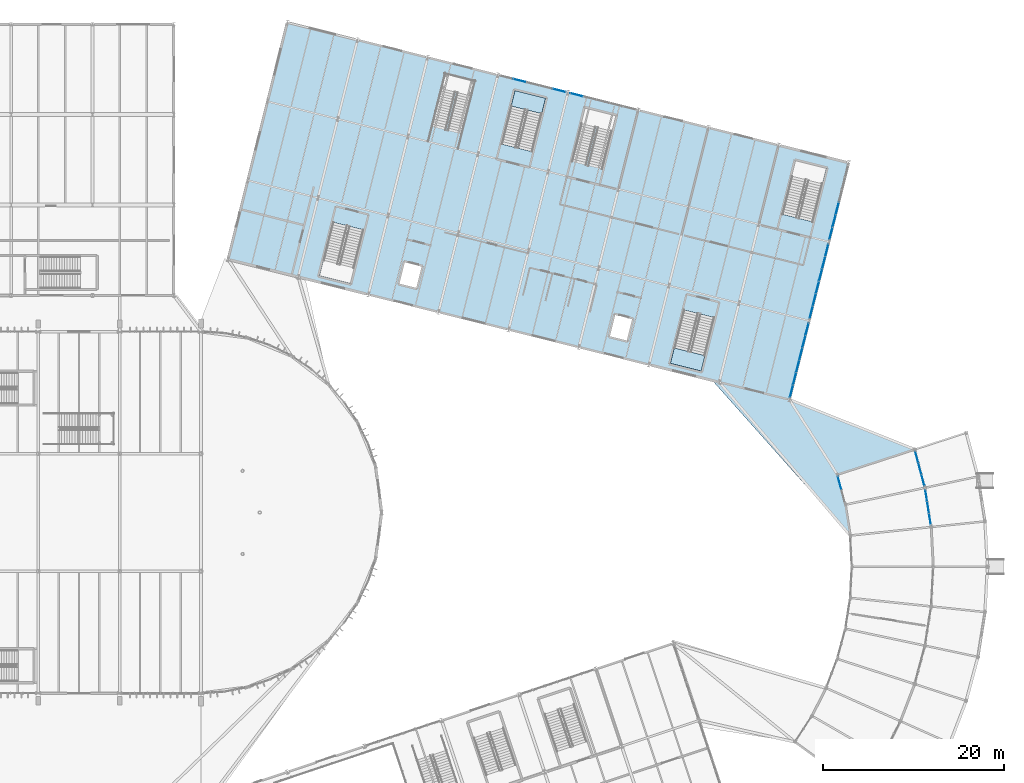
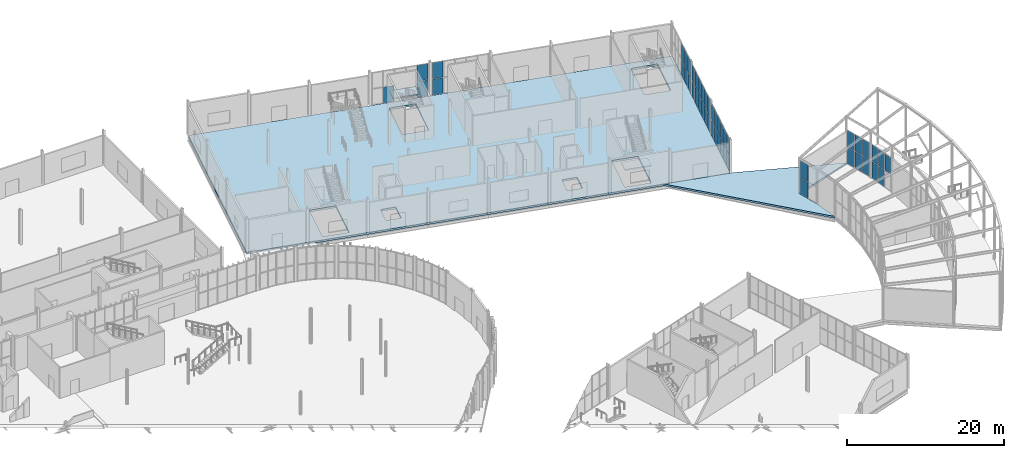
# One storey, part 115 of 158: 48 plates, 4 slabs, 10 elements without a shape of their own.
"""IFC4 building model written with IfcOpenShell, lengths in metres."""

from ifc_helpers import new_model, si_unit, derived_unit, direction, frame, origin, origin_2d, place, context, subcontext, project, spatial, polyline, rectangle, outline, extrude, material, layer, layer_set, type_object, element, aggregate, save


model = new_model("IFC4")

# Units and contexts
model_context = context("Model", 3, precision=1e-05, world=origin(), true_north=direction((0.0, 1.0)))
body_context = subcontext(model_context, "Body", "Model", "MODEL_VIEW")
ifc_project = project(units=[si_unit("LENGTHUNIT", "METRE"), si_unit("AREAUNIT", "SQUARE_METRE"), si_unit("VOLUMEUNIT", "CUBIC_METRE"), si_unit("PLANEANGLEUNIT", "RADIAN"), si_unit("MASSUNIT", "GRAM", prefix="KILO"), si_unit("THERMODYNAMICTEMPERATUREUNIT", "KELVIN"), si_unit("TIMEUNIT", "SECOND"), derived_unit("THERMALTRANSMITTANCEUNIT", [(si_unit("MASSUNIT", "GRAM", prefix="KILO"), 1), (si_unit("THERMODYNAMICTEMPERATUREUNIT", "KELVIN"), -1), (si_unit("TIMEUNIT", "SECOND"), -3)])], contexts=[model_context])

# Site, building, storey
site_placement = place(None, origin())
site = spatial("IfcSite", under=ifc_project, at=site_placement, CompositionType="ELEMENT")
building_placement = place(site_placement, origin())
building = spatial("IfcBuilding", under=site, at=building_placement, Name="Cambertide Market Hall", CompositionType="ELEMENT")
storey_placement = place(building_placement, origin())
storey = spatial("IfcBuildingStorey", under=building, at=storey_placement, Name="L01", CompositionType="ELEMENT", Elevation=0.0)

# Stair, slab
ifc_material_1 = material(Name="Concrete B35", Category="concrete")
stair_type_1 = type_object("IfcStairType", Name="Concrete Dogleg Stair ST-07B", PredefinedType="HALF_TURN_STAIR", material=ifc_material_1)
stair_1_placement = place(storey_placement, origin())
stair_1 = element("IfcStair", 1, at=stair_1_placement, inside=storey, type_object=stair_type_1, Name="Level 1 Exit Stair Core 07B", PredefinedType="HALF_TURN_STAIR")
ifc_material_2 = material(Name="Concrete B35", Category="concrete")
ifc_layer_1 = layer(ifc_material_2, 0.199951171875, Name="Concrete Stair Half-Landing 200")
ifc_layer_set_1 = layer_set([ifc_layer_1], Name="Concrete B35")
slab_type_1 = type_object("IfcSlabType", Name="Concrete Stair Half-Landing 200", PredefinedType="LANDING", material=ifc_layer_set_1)
slab_1_placement = place(storey_placement, frame((0.0, 0.0, 2.5)))
slab_1 = element("IfcSlab", 2, at=slab_1_placement, type_object=slab_type_1, Name="ST-07B landing 1", PredefinedType="LANDING", context=body_context, shape_type="SweptSolid", body=[
    extrude(outline(polyline([(142.69384765625, 116.112548828125), (143.119140625, 117.814208984375), (139.7236328125, 118.6630859375), (139.29833984375, 116.96142578125), (142.69384765625, 116.112548828125)])), origin(), (0.0, 0.0, 1.0), 0.199951171875),
])
aggregate(stair_1, [slab_1])

ifc_material_3 = material(Name="Concrete B35", Category="concrete")
stair_type_2 = type_object("IfcStairType", Name="Concrete Dogleg Stair ST-08A", PredefinedType="HALF_TURN_STAIR", material=ifc_material_3)
stair_2_placement = place(storey_placement, origin())
stair_2 = element("IfcStair", 3, at=stair_2_placement, inside=storey, type_object=stair_type_2, Name="Level 1 Exit Stair Core 08A", PredefinedType="HALF_TURN_STAIR")
slab_2_placement = place(storey_placement, frame((0.0, 0.0, 2.5)))
slab_2 = element("IfcSlab", 4, at=slab_2_placement, type_object=slab_type_1, Name="ST-08A landing 1", PredefinedType="LANDING", context=body_context, shape_type="SweptSolid", body=[
    extrude(outline(polyline([(157.3447265625, 90.193359375), (156.91943359375, 88.49169921875), (160.31494140625, 87.642822265625), (160.740234375, 89.344482421875), (157.3447265625, 90.193359375)])), origin(), (0.0, 0.0, 1.0), 0.199951171875),
])
aggregate(stair_2, [slab_2])

# Slabs
ifc_material_4 = material(Name="Concrete B35", Category="concrete")
ifc_layer_2 = layer(ifc_material_4, 0.280029296875, Name="Exterior Entry Apron & Colonnade Slab 280")
ifc_layer_set_2 = layer_set([ifc_layer_2], Name="Concrete B35")
slab_type_2 = type_object("IfcSlabType", Name="Exterior Entry Apron & Colonnade Slab 280", PredefinedType="FLOOR", material=ifc_layer_set_2)
slab_3_placement = place(storey_placement, frame((0.0, 0.0, -0.280029296875)))
element("IfcSlab", 5, at=slab_3_placement, inside=storey, type_object=slab_type_2, Name="Level 1 Slab SLB-L01-LNK-V4V5", PredefinedType="FLOOR", context=body_context, shape_type="SweptSolid", body=[
    extrude(outline(polyline([(170.47607421875, 84.3759765625), (170.09765625, 84.470458984375), (170.096435546875, 84.465576171875), (161.556396484375, 86.6005859375), (176.814208984375, 69.448974609375), (176.814208984375, 69.448974609375), (176.27392578125, 72.860107421875), (176.27392578125, 72.860107421875), (176.27392578125, 72.860107421875), (175.380126953125, 76.19580078125), (175.378662109375, 76.20068359375), (183.94287109375, 78.9833984375), (184.127197265625, 79.04345703125), (170.47607421875, 84.3759765625)])), origin(), (0.0, 0.0, 1.0), 0.280029296875),
])
ifc_material_5 = material(Name="Concrete B35", Category="concrete")
ifc_layer_3 = layer(ifc_material_5, 0.300048828125, Name="Ground Plinth Structural Slab 300")
ifc_layer_set_3 = layer_set([ifc_layer_3], Name="Concrete B35")
slab_type_3 = type_object("IfcSlabType", Name="Ground Plinth Structural Slab 300", PredefinedType="FLOOR", material=ifc_layer_set_3)
slab_4_placement = place(storey_placement, frame((0.0, 0.0, -0.300048828125)))
element("IfcSlab", 6, at=slab_4_placement, inside=storey, type_object=slab_type_3, Name="Level 1 Slab SLB-L01-V4", PredefinedType="FLOOR", context=body_context, shape_type="SweptSolid", body=[
    extrude(outline(polyline([(108.0, 100.0), (170.089111328125, 84.477783203125), (176.6376953125, 110.671630859375), (114.548583984375, 126.19384765625), (108.0, 100.0)]), holes=[polyline([(122.98779296875, 103.25830078125), (121.50927734375, 97.34423828125), (118.11376953125, 98.193115234375), (119.59228515625, 104.107177734375), (122.98779296875, 103.25830078125)]), polyline([(138.2451171875, 112.7490234375), (139.7236328125, 118.6630859375), (143.119140625, 117.814208984375), (141.640625, 111.900146484375), (138.2451171875, 112.7490234375)]), polyline([(161.79345703125, 93.556884765625), (160.31494140625, 87.642822265625), (156.91943359375, 88.49169921875), (158.39794921875, 94.40576171875), (161.79345703125, 93.556884765625)]), polyline([(169.289794921875, 104.988037109375), (170.768310546875, 110.90185546875), (174.163818359375, 110.05322265625), (172.685302734375, 104.13916015625), (169.289794921875, 104.988037109375)]), polyline([(127.511962890625, 99.708984375), (129.452392578125, 99.223876953125), (128.845947265625, 96.798583984375), (126.90576171875, 97.28369140625), (127.511962890625, 99.708984375)]), polyline([(150.79541015625, 93.88818359375), (152.735595703125, 93.403076171875), (152.12939453125, 90.977783203125), (150.18896484375, 91.462646484375), (150.79541015625, 93.88818359375)])]), origin(), (0.0, 0.0, 1.0), 0.300048828125),
])

# Curtain wall, plate
ifc_material_6 = material(Name="Marine Anodized Aluminium 6063-T6 AA25", Category="aluminium")
curtain_wall_type_1 = type_object("IfcCurtainWallType", Name="Cooking School Ground Showcase Wall", PredefinedType="USERDEFINED", material=ifc_material_6)
curtain_wall_1_placement = place(storey_placement, origin())
curtain_wall_1 = element("IfcCurtainWall", 7, at=curtain_wall_1_placement, inside=storey, type_object=curtain_wall_type_1, Name="Level 1 Curtain Wall CW-V4N-L01-4", ObjectType="UNITIZED CURTAIN WALL", PredefinedType="USERDEFINED")
ifc_material_7 = material(Name="Champagne Marine Anodized Aluminium 6063-T6 AA25", Category="aluminium")
ifc_layer_4 = layer(ifc_material_7, 0.0419921875, Name="Insulated Aluminium Spandrel Panel 42")
ifc_layer_set_4 = layer_set([ifc_layer_4], Name="Champagne Marine Anodized Aluminium 6063-T6 AA25")
plate_type_1 = type_object("IfcPlateType", Name="Insulated Aluminium Spandrel Panel 42", PredefinedType="CURTAIN_PANEL", material=ifc_layer_set_4)
plate_1_placement = place(storey_placement, frame((144.630615234375, 118.67333984375, 2.58984375), z_axis=(0.0, 0.0, 1.0), x_axis=(0.970142500145, -0.242535625038, 0.0)))
plate_1 = element("IfcPlate", 8, at=plate_1_placement, type_object=plate_type_1, Name="CW-V4N-L01-4 Glazing Panel 2-5", PredefinedType="CURTAIN_PANEL", context=body_context, shape_type="SweptSolid", body=[
    extrude(rectangle(XDim=1.424072265625, YDim=0.0419921875, at=origin_2d()), origin(), (0.0, 0.0, 1.0), 2.469970703125),
])

curtain_wall_2_placement = place(storey_placement, origin())
curtain_wall_2 = element("IfcCurtainWall", 9, at=curtain_wall_2_placement, inside=storey, type_object=curtain_wall_type_1, Name="Level 1 Curtain Wall CW-V4N-L01-5", ObjectType="UNITIZED CURTAIN WALL", PredefinedType="USERDEFINED")
plate_2_placement = place(storey_placement, frame((146.555419921875, 118.192138671875, 2.58984375), z_axis=(0.0, 0.0, 1.0), x_axis=(0.970142500145, -0.242535625038, 0.0)))
plate_2 = element("IfcPlate", 10, at=plate_2_placement, type_object=plate_type_1, Name="CW-V4N-L01-5 Glazing Panel 2-1", PredefinedType="CURTAIN_PANEL", context=body_context, shape_type="SweptSolid", body=[
    extrude(rectangle(XDim=1.424072265625, YDim=0.0419921875, at=origin_2d()), origin(), (0.0, 0.0, 1.0), 2.469970703125),
])

# Curtain wall, plates
curtain_wall_3_placement = place(storey_placement, origin())
curtain_wall_3 = element("IfcCurtainWall", 11, at=curtain_wall_3_placement, inside=storey, type_object=curtain_wall_type_1, Name="Level 1 Curtain Wall CW-V4E-L01-1", ObjectType="UNITIZED CURTAIN WALL", PredefinedType="USERDEFINED")
plate_3_placement = place(storey_placement, frame((172.04150390625, 92.287353515625, 2.58984375), z_axis=(0.0, 0.0, 1.0), x_axis=(-0.242535569805, -0.970142513953, 0.0)))
plate_3 = element("IfcPlate", 12, at=plate_3_placement, type_object=plate_type_1, Name="CW-V4E-L01-1 Glazing Panel 2-1", PredefinedType="CURTAIN_PANEL", context=body_context, shape_type="SweptSolid", body=[
    extrude(rectangle(XDim=1.340087890625, YDim=0.0419921875, at=origin_2d()), origin(), (0.0, 0.0, 1.0), 2.469970703125),
])
plate_4_placement = place(storey_placement, frame((171.697021484375, 90.90966796875, 2.58984375), z_axis=(0.0, 0.0, 1.0), x_axis=(-0.242535569805, -0.970142513953, 0.0)))
plate_4 = element("IfcPlate", 13, at=plate_4_placement, type_object=plate_type_1, Name="CW-V4E-L01-1 Glazing Panel 2-2", PredefinedType="CURTAIN_PANEL", context=body_context, shape_type="SweptSolid", body=[
    extrude(rectangle(XDim=1.340087890625, YDim=0.0419921875, at=origin_2d()), origin(), (0.0, 0.0, 1.0), 2.469970703125),
])
plate_5_placement = place(storey_placement, frame((171.352783203125, 89.5322265625, 2.58984375), z_axis=(0.0, 0.0, 1.0), x_axis=(-0.242535569805, -0.970142513953, 0.0)))
plate_5 = element("IfcPlate", 14, at=plate_5_placement, type_object=plate_type_1, Name="CW-V4E-L01-1 Glazing Panel 2-3", PredefinedType="CURTAIN_PANEL", context=body_context, shape_type="SweptSolid", body=[
    extrude(rectangle(XDim=1.340087890625, YDim=0.0419921875, at=origin_2d()), origin(), (0.0, 0.0, 1.0), 2.469970703125),
])
plate_6_placement = place(storey_placement, frame((171.00830078125, 88.154541015625, 2.58984375), z_axis=(0.0, 0.0, 1.0), x_axis=(-0.242535569805, -0.970142513953, 0.0)))
plate_6 = element("IfcPlate", 15, at=plate_6_placement, type_object=plate_type_1, Name="CW-V4E-L01-1 Glazing Panel 2-4", PredefinedType="CURTAIN_PANEL", context=body_context, shape_type="SweptSolid", body=[
    extrude(rectangle(XDim=1.340087890625, YDim=0.0419921875, at=origin_2d()), origin(), (0.0, 0.0, 1.0), 2.469970703125),
])
plate_7_placement = place(storey_placement, frame((170.663818359375, 86.77685546875, 2.58984375), z_axis=(0.0, 0.0, 1.0), x_axis=(-0.242535569805, -0.970142513953, 0.0)))
plate_7 = element("IfcPlate", 16, at=plate_7_placement, type_object=plate_type_1, Name="CW-V4E-L01-1 Glazing Panel 2-5", PredefinedType="CURTAIN_PANEL", context=body_context, shape_type="SweptSolid", body=[
    extrude(rectangle(XDim=1.340087890625, YDim=0.0419921875, at=origin_2d()), origin(), (0.0, 0.0, 1.0), 2.469970703125),
])
plate_8_placement = place(storey_placement, frame((170.319580078125, 85.3994140625, 2.58984375), z_axis=(0.0, 0.0, 1.0), x_axis=(-0.242535569805, -0.970142513953, 0.0)))
plate_8 = element("IfcPlate", 17, at=plate_8_placement, type_object=plate_type_1, Name="CW-V4E-L01-1 Glazing Panel 2-6", PredefinedType="CURTAIN_PANEL", context=body_context, shape_type="SweptSolid", body=[
    extrude(rectangle(XDim=1.340087890625, YDim=0.0419921875, at=origin_2d()), origin(), (0.0, 0.0, 1.0), 2.469970703125),
])

curtain_wall_4_placement = place(storey_placement, origin())
curtain_wall_4 = element("IfcCurtainWall", 18, at=curtain_wall_4_placement, inside=storey, type_object=curtain_wall_type_1, Name="Level 1 Curtain Wall CW-V4E-L01-2", ObjectType="UNITIZED CURTAIN WALL", PredefinedType="USERDEFINED")
plate_9_placement = place(storey_placement, frame((174.224365234375, 101.0185546875, 2.58984375), z_axis=(0.0, 0.0, 1.0), x_axis=(-0.24253568027, -0.970142486337, 0.0)))
plate_9 = element("IfcPlate", 19, at=plate_9_placement, type_object=plate_type_1, Name="CW-V4E-L01-2 Glazing Panel 2-1", PredefinedType="CURTAIN_PANEL", context=body_context, shape_type="SweptSolid", body=[
    extrude(rectangle(XDim=1.340087890625, YDim=0.0419921875, at=origin_2d()), origin(), (0.0, 0.0, 1.0), 2.469970703125),
])
plate_10_placement = place(storey_placement, frame((173.8798828125, 99.64111328125, 2.58984375), z_axis=(0.0, 0.0, 1.0), x_axis=(-0.24253568027, -0.970142486337, 0.0)))
plate_10 = element("IfcPlate", 20, at=plate_10_placement, type_object=plate_type_1, Name="CW-V4E-L01-2 Glazing Panel 2-2", PredefinedType="CURTAIN_PANEL", context=body_context, shape_type="SweptSolid", body=[
    extrude(rectangle(XDim=1.340087890625, YDim=0.0419921875, at=origin_2d()), origin(), (0.0, 0.0, 1.0), 2.469970703125),
])
plate_11_placement = place(storey_placement, frame((173.53564453125, 98.263427734375, 2.58984375), z_axis=(0.0, 0.0, 1.0), x_axis=(-0.24253568027, -0.970142486337, 0.0)))
plate_11 = element("IfcPlate", 21, at=plate_11_placement, type_object=plate_type_1, Name="CW-V4E-L01-2 Glazing Panel 2-3", PredefinedType="CURTAIN_PANEL", context=body_context, shape_type="SweptSolid", body=[
    extrude(rectangle(XDim=1.340087890625, YDim=0.0419921875, at=origin_2d()), origin(), (0.0, 0.0, 1.0), 2.469970703125),
])
plate_12_placement = place(storey_placement, frame((173.191162109375, 96.8857421875, 2.58984375), z_axis=(0.0, 0.0, 1.0), x_axis=(-0.24253568027, -0.970142486337, 0.0)))
plate_12 = element("IfcPlate", 22, at=plate_12_placement, type_object=plate_type_1, Name="CW-V4E-L01-2 Glazing Panel 2-4", PredefinedType="CURTAIN_PANEL", context=body_context, shape_type="SweptSolid", body=[
    extrude(rectangle(XDim=1.340087890625, YDim=0.0419921875, at=origin_2d()), origin(), (0.0, 0.0, 1.0), 2.469970703125),
])
plate_13_placement = place(storey_placement, frame((172.8466796875, 95.50830078125, 2.58984375), z_axis=(0.0, 0.0, 1.0), x_axis=(-0.24253568027, -0.970142486337, 0.0)))
plate_13 = element("IfcPlate", 23, at=plate_13_placement, type_object=plate_type_1, Name="CW-V4E-L01-2 Glazing Panel 2-5", PredefinedType="CURTAIN_PANEL", context=body_context, shape_type="SweptSolid", body=[
    extrude(rectangle(XDim=1.340087890625, YDim=0.0419921875, at=origin_2d()), origin(), (0.0, 0.0, 1.0), 2.469970703125),
])
plate_14_placement = place(storey_placement, frame((172.50244140625, 94.130615234375, 2.58984375), z_axis=(0.0, 0.0, 1.0), x_axis=(-0.24253568027, -0.970142486337, 0.0)))
plate_14 = element("IfcPlate", 24, at=plate_14_placement, type_object=plate_type_1, Name="CW-V4E-L01-2 Glazing Panel 2-6", PredefinedType="CURTAIN_PANEL", context=body_context, shape_type="SweptSolid", body=[
    extrude(rectangle(XDim=1.340087890625, YDim=0.0419921875, at=origin_2d()), origin(), (0.0, 0.0, 1.0), 2.469970703125),
])

curtain_wall_5_placement = place(storey_placement, origin())
curtain_wall_5 = element("IfcCurtainWall", 25, at=curtain_wall_5_placement, inside=storey, type_object=curtain_wall_type_1, Name="Level 1 Curtain Wall CW-V4E-L01-3", ObjectType="UNITIZED CURTAIN WALL", PredefinedType="USERDEFINED")
plate_15_placement = place(storey_placement, frame((175.3740234375, 105.6171875, 2.58984375), z_axis=(0.0, 0.0, 1.0), x_axis=(-0.242535569805, -0.970142513953, 0.0)))
plate_15 = element("IfcPlate", 26, at=plate_15_placement, type_object=plate_type_1, Name="CW-V4E-L01-3 Glazing Panel 2-4", PredefinedType="CURTAIN_PANEL", context=body_context, shape_type="SweptSolid", body=[
    extrude(rectangle(XDim=1.340087890625, YDim=0.0419921875, at=origin_2d()), origin(), (0.0, 0.0, 1.0), 2.469970703125),
])
plate_16_placement = place(storey_placement, frame((175.029541015625, 104.239501953125, 2.58984375), z_axis=(0.0, 0.0, 1.0), x_axis=(-0.242535569805, -0.970142513953, 0.0)))
plate_16 = element("IfcPlate", 27, at=plate_16_placement, type_object=plate_type_1, Name="CW-V4E-L01-3 Glazing Panel 2-5", PredefinedType="CURTAIN_PANEL", context=body_context, shape_type="SweptSolid", body=[
    extrude(rectangle(XDim=1.340087890625, YDim=0.0419921875, at=origin_2d()), origin(), (0.0, 0.0, 1.0), 2.469970703125),
])
plate_17_placement = place(storey_placement, frame((174.68505859375, 102.86181640625, 2.58984375), z_axis=(0.0, 0.0, 1.0), x_axis=(-0.242535569805, -0.970142513953, 0.0)))
plate_17 = element("IfcPlate", 28, at=plate_17_placement, type_object=plate_type_1, Name="CW-V4E-L01-3 Glazing Panel 2-6", PredefinedType="CURTAIN_PANEL", context=body_context, shape_type="SweptSolid", body=[
    extrude(rectangle(XDim=1.340087890625, YDim=0.0419921875, at=origin_2d()), origin(), (0.0, 0.0, 1.0), 2.469970703125),
])

# Plate
ifc_material_8 = material(Name="Low-E Laminated Insulated Glass", Category="glass")
ifc_layer_5 = layer(ifc_material_8, 0.028076171875, Name="Vision Insulated Glazing Panel 28")
ifc_layer_set_5 = layer_set([ifc_layer_5], Name="Low-E Laminated Insulated Glass")
plate_type_2 = type_object("IfcPlateType", Name="Vision Insulated Glazing Panel 28", PredefinedType="CURTAIN_PANEL", material=ifc_layer_set_5)
plate_18_placement = place(storey_placement, frame((140.25341796875, 119.767578125, 0.0400390625), z_axis=(0.0, 0.0, 1.0), x_axis=(0.970142500145, -0.242535625038, 0.0)))
plate_18 = element("IfcPlate", 29, at=plate_18_placement, type_object=plate_type_2, Name="CW-V4N-L01-4 Glazing Panel 1-2", PredefinedType="CURTAIN_PANEL", context=body_context, shape_type="SweptSolid", body=[
    extrude(rectangle(XDim=1.424072265625, YDim=0.028076171875, at=origin_2d()), origin(), (0.0, 0.0, 1.0), 2.469970703125),
])

plate_19_placement = place(storey_placement, frame((144.630615234375, 118.67333984375, 0.0400390625), z_axis=(0.0, 0.0, 1.0), x_axis=(0.970142500145, -0.242535625038, 0.0)))
plate_19 = element("IfcPlate", 30, at=plate_19_placement, type_object=plate_type_2, Name="CW-V4N-L01-4 Glazing Panel 1-5", PredefinedType="CURTAIN_PANEL", context=body_context, shape_type="SweptSolid", body=[
    extrude(rectangle(XDim=1.424072265625, YDim=0.028076171875, at=origin_2d()), origin(), (0.0, 0.0, 1.0), 2.469970703125),
])

aggregate(curtain_wall_1, [plate_18, plate_19, plate_1])

plate_20_placement = place(storey_placement, frame((146.555419921875, 118.192138671875, 0.0400390625), z_axis=(0.0, 0.0, 1.0), x_axis=(0.970142500145, -0.242535625038, 0.0)))
plate_20 = element("IfcPlate", 31, at=plate_20_placement, type_object=plate_type_2, Name="CW-V4N-L01-5 Glazing Panel 1-1", PredefinedType="CURTAIN_PANEL", context=body_context, shape_type="SweptSolid", body=[
    extrude(rectangle(XDim=1.424072265625, YDim=0.028076171875, at=origin_2d()), origin(), (0.0, 0.0, 1.0), 2.469970703125),
])

aggregate(curtain_wall_2, [plate_20, plate_2])

plate_21_placement = place(storey_placement, frame((172.04150390625, 92.287353515625, 0.0400390625), z_axis=(0.0, 0.0, 1.0), x_axis=(-0.242535569805, -0.970142513953, 0.0)))
plate_21 = element("IfcPlate", 32, at=plate_21_placement, type_object=plate_type_2, Name="CW-V4E-L01-1 Glazing Panel 1-1", PredefinedType="CURTAIN_PANEL", context=body_context, shape_type="SweptSolid", body=[
    extrude(rectangle(XDim=1.340087890625, YDim=0.028076171875, at=origin_2d()), origin(), (0.0, 0.0, 1.0), 2.469970703125),
])

plate_22_placement = place(storey_placement, frame((171.697021484375, 90.90966796875, 0.0400390625), z_axis=(0.0, 0.0, 1.0), x_axis=(-0.242535569805, -0.970142513953, 0.0)))
plate_22 = element("IfcPlate", 33, at=plate_22_placement, type_object=plate_type_2, Name="CW-V4E-L01-1 Glazing Panel 1-2", PredefinedType="CURTAIN_PANEL", context=body_context, shape_type="SweptSolid", body=[
    extrude(rectangle(XDim=1.340087890625, YDim=0.028076171875, at=origin_2d()), origin(), (0.0, 0.0, 1.0), 2.469970703125),
])

plate_23_placement = place(storey_placement, frame((171.352783203125, 89.5322265625, 0.0400390625), z_axis=(0.0, 0.0, 1.0), x_axis=(-0.242535569805, -0.970142513953, 0.0)))
plate_23 = element("IfcPlate", 34, at=plate_23_placement, type_object=plate_type_2, Name="CW-V4E-L01-1 Glazing Panel 1-3", PredefinedType="CURTAIN_PANEL", context=body_context, shape_type="SweptSolid", body=[
    extrude(rectangle(XDim=1.340087890625, YDim=0.028076171875, at=origin_2d()), origin(), (0.0, 0.0, 1.0), 2.469970703125),
])

plate_24_placement = place(storey_placement, frame((171.00830078125, 88.154541015625, 0.0400390625), z_axis=(0.0, 0.0, 1.0), x_axis=(-0.242535569805, -0.970142513953, 0.0)))
plate_24 = element("IfcPlate", 35, at=plate_24_placement, type_object=plate_type_2, Name="CW-V4E-L01-1 Glazing Panel 1-4", PredefinedType="CURTAIN_PANEL", context=body_context, shape_type="SweptSolid", body=[
    extrude(rectangle(XDim=1.340087890625, YDim=0.028076171875, at=origin_2d()), origin(), (0.0, 0.0, 1.0), 2.469970703125),
])

plate_25_placement = place(storey_placement, frame((170.663818359375, 86.77685546875, 0.0400390625), z_axis=(0.0, 0.0, 1.0), x_axis=(-0.242535569805, -0.970142513953, 0.0)))
plate_25 = element("IfcPlate", 36, at=plate_25_placement, type_object=plate_type_2, Name="CW-V4E-L01-1 Glazing Panel 1-5", PredefinedType="CURTAIN_PANEL", context=body_context, shape_type="SweptSolid", body=[
    extrude(rectangle(XDim=1.340087890625, YDim=0.028076171875, at=origin_2d()), origin(), (0.0, 0.0, 1.0), 2.469970703125),
])

plate_26_placement = place(storey_placement, frame((170.319580078125, 85.3994140625, 0.0400390625), z_axis=(0.0, 0.0, 1.0), x_axis=(-0.242535569805, -0.970142513953, 0.0)))
plate_26 = element("IfcPlate", 37, at=plate_26_placement, type_object=plate_type_2, Name="CW-V4E-L01-1 Glazing Panel 1-6", PredefinedType="CURTAIN_PANEL", context=body_context, shape_type="SweptSolid", body=[
    extrude(rectangle(XDim=1.340087890625, YDim=0.028076171875, at=origin_2d()), origin(), (0.0, 0.0, 1.0), 2.469970703125),
])

aggregate(curtain_wall_3, [plate_21, plate_22, plate_23, plate_24, plate_25, plate_26, plate_3, plate_4, plate_5, plate_6, plate_7, plate_8])

plate_27_placement = place(storey_placement, frame((174.224365234375, 101.0185546875, 0.0400390625), z_axis=(0.0, 0.0, 1.0), x_axis=(-0.24253568027, -0.970142486337, 0.0)))
plate_27 = element("IfcPlate", 38, at=plate_27_placement, type_object=plate_type_2, Name="CW-V4E-L01-2 Glazing Panel 1-1", PredefinedType="CURTAIN_PANEL", context=body_context, shape_type="SweptSolid", body=[
    extrude(rectangle(XDim=1.340087890625, YDim=0.028076171875, at=origin_2d()), origin(), (0.0, 0.0, 1.0), 2.469970703125),
])

plate_28_placement = place(storey_placement, frame((173.8798828125, 99.64111328125, 0.0400390625), z_axis=(0.0, 0.0, 1.0), x_axis=(-0.24253568027, -0.970142486337, 0.0)))
plate_28 = element("IfcPlate", 39, at=plate_28_placement, type_object=plate_type_2, Name="CW-V4E-L01-2 Glazing Panel 1-2", PredefinedType="CURTAIN_PANEL", context=body_context, shape_type="SweptSolid", body=[
    extrude(rectangle(XDim=1.340087890625, YDim=0.028076171875, at=origin_2d()), origin(), (0.0, 0.0, 1.0), 2.469970703125),
])

plate_29_placement = place(storey_placement, frame((173.53564453125, 98.263427734375, 0.0400390625), z_axis=(0.0, 0.0, 1.0), x_axis=(-0.24253568027, -0.970142486337, 0.0)))
plate_29 = element("IfcPlate", 40, at=plate_29_placement, type_object=plate_type_2, Name="CW-V4E-L01-2 Glazing Panel 1-3", PredefinedType="CURTAIN_PANEL", context=body_context, shape_type="SweptSolid", body=[
    extrude(rectangle(XDim=1.340087890625, YDim=0.028076171875, at=origin_2d()), origin(), (0.0, 0.0, 1.0), 2.469970703125),
])

plate_30_placement = place(storey_placement, frame((173.191162109375, 96.8857421875, 0.0400390625), z_axis=(0.0, 0.0, 1.0), x_axis=(-0.24253568027, -0.970142486337, 0.0)))
plate_30 = element("IfcPlate", 41, at=plate_30_placement, type_object=plate_type_2, Name="CW-V4E-L01-2 Glazing Panel 1-4", PredefinedType="CURTAIN_PANEL", context=body_context, shape_type="SweptSolid", body=[
    extrude(rectangle(XDim=1.340087890625, YDim=0.028076171875, at=origin_2d()), origin(), (0.0, 0.0, 1.0), 2.469970703125),
])

plate_31_placement = place(storey_placement, frame((172.8466796875, 95.50830078125, 0.0400390625), z_axis=(0.0, 0.0, 1.0), x_axis=(-0.24253568027, -0.970142486337, 0.0)))
plate_31 = element("IfcPlate", 42, at=plate_31_placement, type_object=plate_type_2, Name="CW-V4E-L01-2 Glazing Panel 1-5", PredefinedType="CURTAIN_PANEL", context=body_context, shape_type="SweptSolid", body=[
    extrude(rectangle(XDim=1.340087890625, YDim=0.028076171875, at=origin_2d()), origin(), (0.0, 0.0, 1.0), 2.469970703125),
])

plate_32_placement = place(storey_placement, frame((172.50244140625, 94.130615234375, 0.0400390625), z_axis=(0.0, 0.0, 1.0), x_axis=(-0.24253568027, -0.970142486337, 0.0)))
plate_32 = element("IfcPlate", 43, at=plate_32_placement, type_object=plate_type_2, Name="CW-V4E-L01-2 Glazing Panel 1-6", PredefinedType="CURTAIN_PANEL", context=body_context, shape_type="SweptSolid", body=[
    extrude(rectangle(XDim=1.340087890625, YDim=0.028076171875, at=origin_2d()), origin(), (0.0, 0.0, 1.0), 2.469970703125),
])

aggregate(curtain_wall_4, [plate_27, plate_28, plate_29, plate_30, plate_31, plate_32, plate_9, plate_10, plate_11, plate_12, plate_13, plate_14])

plate_33_placement = place(storey_placement, frame((175.3740234375, 105.6171875, 0.0400390625), z_axis=(0.0, 0.0, 1.0), x_axis=(-0.242535569805, -0.970142513953, 0.0)))
plate_33 = element("IfcPlate", 44, at=plate_33_placement, type_object=plate_type_2, Name="CW-V4E-L01-3 Glazing Panel 1-4", PredefinedType="CURTAIN_PANEL", context=body_context, shape_type="SweptSolid", body=[
    extrude(rectangle(XDim=1.340087890625, YDim=0.028076171875, at=origin_2d()), origin(), (0.0, 0.0, 1.0), 2.469970703125),
])

plate_34_placement = place(storey_placement, frame((175.029541015625, 104.239501953125, 0.0400390625), z_axis=(0.0, 0.0, 1.0), x_axis=(-0.242535569805, -0.970142513953, 0.0)))
plate_34 = element("IfcPlate", 45, at=plate_34_placement, type_object=plate_type_2, Name="CW-V4E-L01-3 Glazing Panel 1-5", PredefinedType="CURTAIN_PANEL", context=body_context, shape_type="SweptSolid", body=[
    extrude(rectangle(XDim=1.340087890625, YDim=0.028076171875, at=origin_2d()), origin(), (0.0, 0.0, 1.0), 2.469970703125),
])

plate_35_placement = place(storey_placement, frame((174.68505859375, 102.86181640625, 0.0400390625), z_axis=(0.0, 0.0, 1.0), x_axis=(-0.242535569805, -0.970142513953, 0.0)))
plate_35 = element("IfcPlate", 46, at=plate_35_placement, type_object=plate_type_2, Name="CW-V4E-L01-3 Glazing Panel 1-6", PredefinedType="CURTAIN_PANEL", context=body_context, shape_type="SweptSolid", body=[
    extrude(rectangle(XDim=1.340087890625, YDim=0.028076171875, at=origin_2d()), origin(), (0.0, 0.0, 1.0), 2.469970703125),
])

aggregate(curtain_wall_5, [plate_33, plate_34, plate_35, plate_15, plate_16, plate_17])

# Curtain wall, plates
ifc_material_9 = material(Name="Marine Anodized Aluminium 6063-T6 AA25", Category="aluminium")
curtain_wall_type_2 = type_object("IfcCurtainWallType", Name="Promenade Crescent Outer Glazed Wall", PredefinedType="USERDEFINED", material=ifc_material_9)
curtain_wall_6_placement = place(storey_placement, origin())
curtain_wall_6 = element("IfcCurtainWall", 47, at=curtain_wall_6_placement, inside=storey, type_object=curtain_wall_type_2, Name="Level 1 Curtain Wall CW-V5M-L01-8", ObjectType="UNITIZED CURTAIN WALL", PredefinedType="USERDEFINED")
plate_36_placement = place(storey_placement, frame((185.2197265625, 73.86376953125, 0.0400390625), z_axis=(0.0, 0.0, 1.0), x_axis=(0.156434588243, -0.987688321082, 0.0)))
plate_36 = element("IfcPlate", 48, at=plate_36_placement, type_object=plate_type_2, Name="CW-V5M-L01-8 Glazing Panel 1-1", PredefinedType="CURTAIN_PANEL", context=body_context, shape_type="SweptSolid", body=[
    extrude(rectangle(XDim=1.23876953125, YDim=0.028076171875, at=origin_2d()), origin(), (0.0, 0.0, 1.0), 2.570068359375),
])
plate_37_placement = place(storey_placement, frame((185.426025390625, 72.561279296875, 0.0400390625), z_axis=(0.0, 0.0, 1.0), x_axis=(0.156434588243, -0.987688321082, 0.0)))
plate_37 = element("IfcPlate", 49, at=plate_37_placement, type_object=plate_type_2, Name="CW-V5M-L01-8 Glazing Panel 1-2", PredefinedType="CURTAIN_PANEL", context=body_context, shape_type="SweptSolid", body=[
    extrude(rectangle(XDim=1.23876953125, YDim=0.028076171875, at=origin_2d()), origin(), (0.0, 0.0, 1.0), 2.570068359375),
])
plate_38_placement = place(storey_placement, frame((185.2197265625, 73.86376953125, 2.68994140625), z_axis=(0.0, 0.0, 1.0), x_axis=(0.156434588243, -0.987688321082, 0.0)))
plate_38 = element("IfcPlate", 50, at=plate_38_placement, type_object=plate_type_2, Name="CW-V5M-L01-8 Glazing Panel 2-1", PredefinedType="CURTAIN_PANEL", context=body_context, shape_type="SweptSolid", body=[
    extrude(rectangle(XDim=1.23876953125, YDim=0.028076171875, at=origin_2d()), origin(), (0.0, 0.0, 1.0), 2.570068359375),
])
plate_39_placement = place(storey_placement, frame((185.426025390625, 72.561279296875, 2.68994140625), z_axis=(0.0, 0.0, 1.0), x_axis=(0.156434588243, -0.987688321082, 0.0)))
plate_39 = element("IfcPlate", 51, at=plate_39_placement, type_object=plate_type_2, Name="CW-V5M-L01-8 Glazing Panel 2-2", PredefinedType="CURTAIN_PANEL", context=body_context, shape_type="SweptSolid", body=[
    extrude(rectangle(XDim=1.23876953125, YDim=0.028076171875, at=origin_2d()), origin(), (0.0, 0.0, 1.0), 2.570068359375),
])
plate_40_placement = place(storey_placement, frame((185.63232421875, 71.2587890625, 2.68994140625), z_axis=(0.0, 0.0, 1.0), x_axis=(0.156434588243, -0.987688321082, 0.0)))
plate_40 = element("IfcPlate", 52, at=plate_40_placement, type_object=plate_type_2, Name="CW-V5M-L01-8 Glazing Panel 2-3", PredefinedType="CURTAIN_PANEL", context=body_context, shape_type="SweptSolid", body=[
    extrude(rectangle(XDim=1.23876953125, YDim=0.028076171875, at=origin_2d()), origin(), (0.0, 0.0, 1.0), 2.570068359375),
])
aggregate(curtain_wall_6, [plate_36, plate_37, plate_38, plate_39, plate_40])

curtain_wall_7_placement = place(storey_placement, origin())
curtain_wall_7 = element("IfcCurtainWall", 53, at=curtain_wall_7_placement, inside=storey, type_object=curtain_wall_type_2, Name="Level 1 Curtain Wall CW-V5M-L01-9", ObjectType="UNITIZED CURTAIN WALL", PredefinedType="USERDEFINED")
plate_41_placement = place(storey_placement, frame((184.171875, 78.12939453125, 0.0400390625), z_axis=(0.0, 0.0, 1.0), x_axis=(0.258818914887, -0.96592586118, 0.0)))
plate_41 = element("IfcPlate", 54, at=plate_41_placement, type_object=plate_type_2, Name="CW-V5M-L01-9 Glazing Panel 1-1", PredefinedType="CURTAIN_PANEL", context=body_context, shape_type="SweptSolid", body=[
    extrude(rectangle(XDim=1.23876953125, YDim=0.028076171875, at=origin_2d()), origin(), (0.0, 0.0, 1.0), 2.570068359375),
])
plate_42_placement = place(storey_placement, frame((184.51318359375, 76.85546875, 0.0400390625), z_axis=(0.0, 0.0, 1.0), x_axis=(0.258818914887, -0.96592586118, 0.0)))
plate_42 = element("IfcPlate", 55, at=plate_42_placement, type_object=plate_type_2, Name="CW-V5M-L01-9 Glazing Panel 1-2", PredefinedType="CURTAIN_PANEL", context=body_context, shape_type="SweptSolid", body=[
    extrude(rectangle(XDim=1.23876953125, YDim=0.028076171875, at=origin_2d()), origin(), (0.0, 0.0, 1.0), 2.570068359375),
])
plate_43_placement = place(storey_placement, frame((184.8544921875, 75.581787109375, 0.0400390625), z_axis=(0.0, 0.0, 1.0), x_axis=(0.258818914887, -0.96592586118, 0.0)))
plate_43 = element("IfcPlate", 56, at=plate_43_placement, type_object=plate_type_2, Name="CW-V5M-L01-9 Glazing Panel 1-3", PredefinedType="CURTAIN_PANEL", context=body_context, shape_type="SweptSolid", body=[
    extrude(rectangle(XDim=1.23876953125, YDim=0.028076171875, at=origin_2d()), origin(), (0.0, 0.0, 1.0), 2.570068359375),
])
plate_44_placement = place(storey_placement, frame((184.171875, 78.12939453125, 2.68994140625), z_axis=(0.0, 0.0, 1.0), x_axis=(0.258818914887, -0.96592586118, 0.0)))
plate_44 = element("IfcPlate", 57, at=plate_44_placement, type_object=plate_type_2, Name="CW-V5M-L01-9 Glazing Panel 2-1", PredefinedType="CURTAIN_PANEL", context=body_context, shape_type="SweptSolid", body=[
    extrude(rectangle(XDim=1.23876953125, YDim=0.028076171875, at=origin_2d()), origin(), (0.0, 0.0, 1.0), 2.570068359375),
])
plate_45_placement = place(storey_placement, frame((184.51318359375, 76.85546875, 2.68994140625), z_axis=(0.0, 0.0, 1.0), x_axis=(0.258818914887, -0.96592586118, 0.0)))
plate_45 = element("IfcPlate", 58, at=plate_45_placement, type_object=plate_type_2, Name="CW-V5M-L01-9 Glazing Panel 2-2", PredefinedType="CURTAIN_PANEL", context=body_context, shape_type="SweptSolid", body=[
    extrude(rectangle(XDim=1.23876953125, YDim=0.028076171875, at=origin_2d()), origin(), (0.0, 0.0, 1.0), 2.570068359375),
])
plate_46_placement = place(storey_placement, frame((184.8544921875, 75.581787109375, 2.68994140625), z_axis=(0.0, 0.0, 1.0), x_axis=(0.258818914887, -0.96592586118, 0.0)))
plate_46 = element("IfcPlate", 59, at=plate_46_placement, type_object=plate_type_2, Name="CW-V5M-L01-9 Glazing Panel 2-3", PredefinedType="CURTAIN_PANEL", context=body_context, shape_type="SweptSolid", body=[
    extrude(rectangle(XDim=1.23876953125, YDim=0.028076171875, at=origin_2d()), origin(), (0.0, 0.0, 1.0), 2.570068359375),
])
aggregate(curtain_wall_7, [plate_41, plate_42, plate_43, plate_44, plate_45, plate_46])

ifc_material_10 = material(Name="Marine Anodized Aluminium 6063-T6 AA25", Category="aluminium")
curtain_wall_type_3 = type_object("IfcCurtainWallType", Name="Promenade Crescent Inner Glazed Wall", PredefinedType="USERDEFINED", material=ifc_material_10)
curtain_wall_8_placement = place(storey_placement, origin())
curtain_wall_8 = element("IfcCurtainWall", 60, at=curtain_wall_8_placement, inside=storey, type_object=curtain_wall_type_3, Name="Level 1 Curtain Wall CW-V5I-L01-9", ObjectType="UNITIZED CURTAIN WALL", PredefinedType="USERDEFINED")
plate_47_placement = place(storey_placement, frame((175.63427734375, 75.266845703125, 0.0400390625), z_axis=(0.0, 0.0, 1.0), x_axis=(-0.25881910404, 0.965925810497, 0.0)))
plate_47 = element("IfcPlate", 61, at=plate_47_placement, type_object=plate_type_2, Name="CW-V5I-L01-9 Glazing Panel 1-2", PredefinedType="CURTAIN_PANEL", context=body_context, shape_type="SweptSolid", body=[
    extrude(rectangle(XDim=1.447021484375, YDim=0.028076171875, at=origin_2d()), origin(), (0.0, 0.0, 1.0), 2.570068359375),
])
plate_48_placement = place(storey_placement, frame((175.63427734375, 75.266845703125, 2.68994140625), z_axis=(0.0, 0.0, 1.0), x_axis=(-0.25881910404, 0.965925810497, 0.0)))
plate_48 = element("IfcPlate", 62, at=plate_48_placement, type_object=plate_type_2, Name="CW-V5I-L01-9 Glazing Panel 2-2", PredefinedType="CURTAIN_PANEL", context=body_context, shape_type="SweptSolid", body=[
    extrude(rectangle(XDim=1.447021484375, YDim=0.028076171875, at=origin_2d()), origin(), (0.0, 0.0, 1.0), 2.570068359375),
])
aggregate(curtain_wall_8, [plate_47, plate_48])

save(model, "model.ifc")
